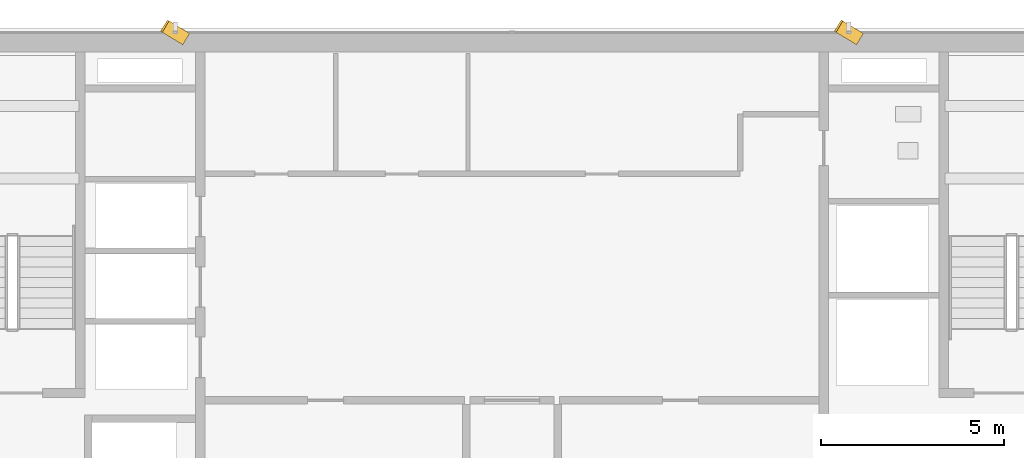
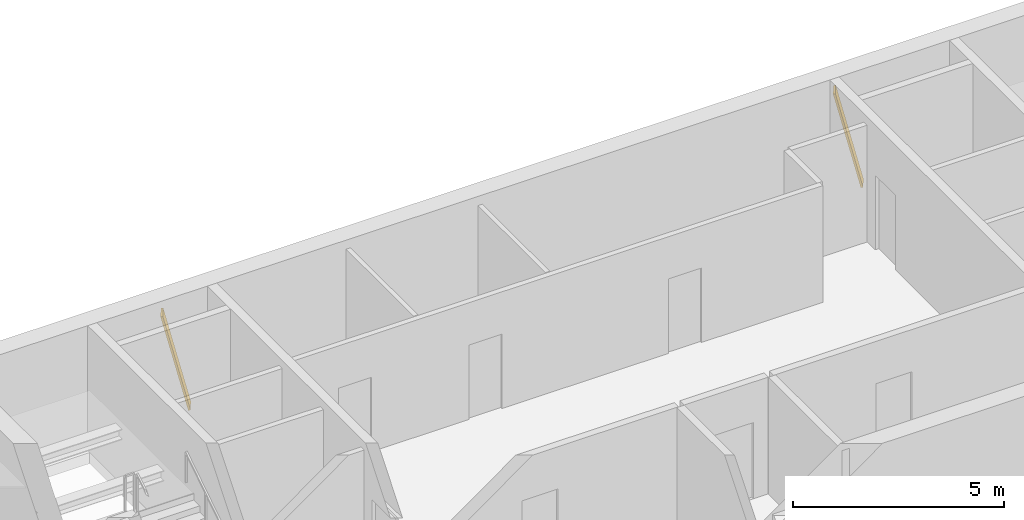
# One storey, part 26 of 27: 2 shading devices.
"""IFC4 building model written with IfcOpenShell, lengths in metres."""

from ifc_helpers import new_model, si_unit, direction, frame, origin, origin_2d, place, context, subcontext, project, spatial, rectangle, extrude, source, transform, mapped, material, material_profile, profile_set, type_object, element, save


model = new_model("IFC4")

# Units and contexts
model_context = context("Model", 3, precision=1e-05, world=origin(), true_north=direction((0.0, 1.0)))
body_context = subcontext(model_context, "Body", "Model", "MODEL_VIEW")
ifc_project = project(units=[si_unit("LENGTHUNIT", "METRE"), si_unit("AREAUNIT", "SQUARE_METRE"), si_unit("VOLUMEUNIT", "CUBIC_METRE"), si_unit("PLANEANGLEUNIT", "RADIAN"), si_unit("MASSUNIT", "GRAM", prefix="KILO")], contexts=[model_context])

# Site, building, storey
site_placement = place(None, origin())
site = spatial("IfcSite", under=ifc_project, at=site_placement, CompositionType="ELEMENT")
building_placement = place(site_placement, origin())
building = spatial("IfcBuilding", under=site, at=building_placement, Name="Sumidabori Civic Tower", CompositionType="ELEMENT")
storey_placement = place(building_placement, frame((0.0, 0.0, 228.800048828125)))
storey = spatial("IfcBuildingStorey", under=building, at=storey_placement, Name="L59", CompositionType="ELEMENT", Elevation=228.800048828125)

# Shading devices
ifc_material = material(Name="Anodised Bronze Aluminium AW-6063-T6", Category="aluminium")
ifc_material_profile = material_profile(ifc_material, rectangle(XDim=0.054931640625, YDim=0.360107421875, at=origin_2d()), Name="BRONZE FIN 360x55")
ifc_profile_set = profile_set([ifc_material_profile], Name="Anodised Bronze Aluminium AW-6063-T6")
shading_device_type = type_object("IfcShadingDeviceType", Name="SH-FIN-360", PredefinedType="USERDEFINED", material=ifc_profile_set)
shared_shape = source(origin(), body_context, "Body", "SweptSolid", [
    extrude(rectangle(XDim=0.054931640625, YDim=0.360107421875, at=origin_2d()), origin(), (0.0, 0.0, 1.0), 2.7685546875),
])
for number, where, z_axis, x_axis, name in (
    (1, (9.465087890625, 23.909912109375, 0.02001953125), (-0.202289930374, 0.122837782481, 0.971591304646), (0.830469701518, -0.504291322674, 0.236665030656), "Bronze Anodised Diagonal Fin L59-01"),
    (2, (-8.905029296875, 23.909912109375, 0.02001953125), (-0.202289930374, 0.122837782481, 0.971591304646), (0.830469701518, -0.504291322674, 0.236665030656), "Bronze Anodised Diagonal Fin L59-03"),
):
    element("IfcShadingDevice", number, at=place(storey_placement, frame(where, z_axis=z_axis, x_axis=x_axis)), inside=storey, type_object=shading_device_type, Name=name, ObjectType="FIN", PredefinedType="USERDEFINED", context=body_context, shape_type="MappedRepresentation", body=[
        mapped(shared_shape, transform((0.0, 0.0, 0.0), x_axis=(1.0, 0.0, 0.0), y_axis=(0.0, 1.0, 0.0), z_axis=(0.0, 0.0, 1.0), scale=1.0)),
    ])

save(model, "model.ifc")
